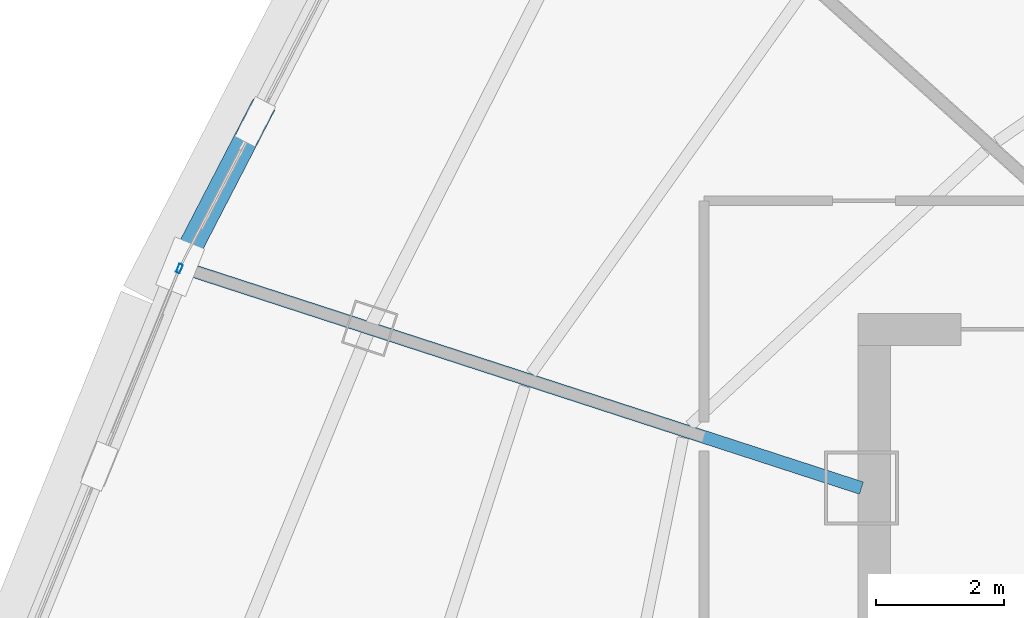
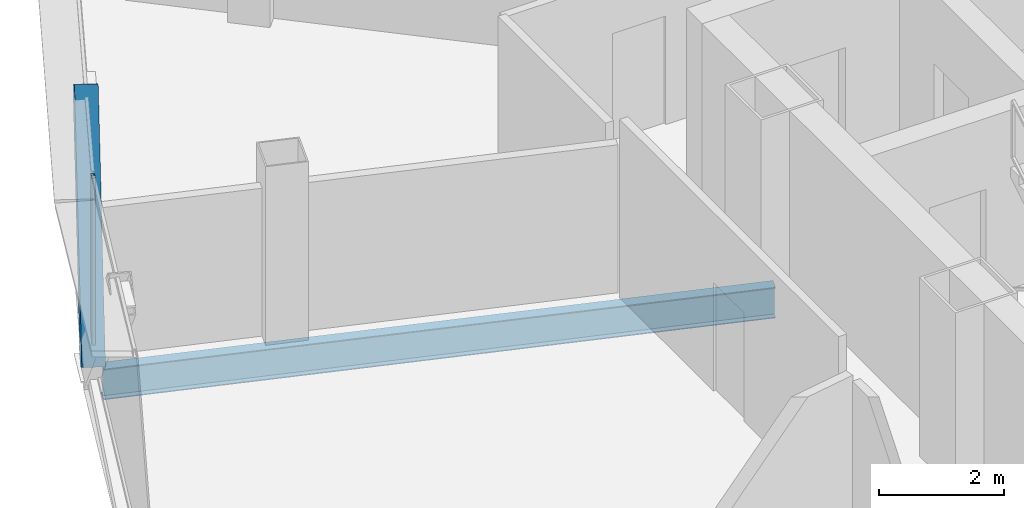
# One storey, part 7 of 28: 2 members, 1 beam, 1 element without a shape of its own.
"""IFC4 building model written with IfcOpenShell, lengths in metres."""

from ifc_helpers import new_model, si_unit, direction, frame, origin, origin_2d, place, context, subcontext, project, spatial, hollow_rectangle, i_section, extrude, source, transform, mapped, material, layer, layer_set, material_profile, profile_set, type_object, element, aggregate, save


model = new_model("IFC4")

# Units and contexts
model_context = context("Model", 3, precision=1e-05, world=origin(), true_north=direction((0.0, 1.0)))
body_context = subcontext(model_context, "Body", "Model", "MODEL_VIEW")
ifc_project = project(units=[si_unit("LENGTHUNIT", "METRE"), si_unit("AREAUNIT", "SQUARE_METRE"), si_unit("VOLUMEUNIT", "CUBIC_METRE"), si_unit("PLANEANGLEUNIT", "RADIAN"), si_unit("MASSUNIT", "GRAM", prefix="KILO"), si_unit("THERMODYNAMICTEMPERATUREUNIT", "KELVIN"), si_unit("POWERUNIT", "WATT")], contexts=[model_context])

# Site, building, storey
site_placement = place(None, origin())
site = spatial("IfcSite", under=ifc_project, at=site_placement, CompositionType="ELEMENT")
building_placement = place(site_placement, origin())
building = spatial("IfcBuilding", under=site, at=building_placement, Name="Yunzhuo Pagoda Commons", CompositionType="ELEMENT")
storey_placement = place(building_placement, frame((0.0, 0.0, 336.760009765625)))
storey = spatial("IfcBuildingStorey", under=building, at=storey_placement, Name="L84", CompositionType="ELEMENT", Elevation=336.760009765625)

# Beam
ifc_material_1 = material(Name="Structural steel Q355B", Category="steel")
ifc_material_profile_1 = material_profile(ifc_material_1, i_section(OverallWidth=0.199951171875, OverallDepth=0.60009765625, WebThickness=0.010986328125, FlangeThickness=0.01708984375, at=origin_2d()), Name="Structural steel Q355B")
ifc_profile_set_1 = profile_set([ifc_material_profile_1], Name="Structural steel Q355B")
beam_type = type_object("IfcBeamType", Name="B-RG3 Beam HN 600x200x11x17", PredefinedType="BEAM", material=ifc_profile_set_1)
shared_shape_1 = source(origin(), body_context, "Body", "SweptSolid", [
    extrude(i_section(OverallWidth=0.199951171875, OverallDepth=0.60009765625, WebThickness=0.010986328125, FlangeThickness=0.01708984375, at=origin_2d()), origin(), (0.0, 0.0, 1.0), 10.99365234375),
])
beam_placement = place(storey_placement, frame((25.14453125, 41.126220703125, -0.56005859375), z_axis=(0.951056587506, -0.30901677521, 0.0), x_axis=(0.30901677521, 0.951056587506, 0.0)))
element("IfcBeam", 1, at=beam_placement, inside=storey, type_object=beam_type, Name="L84 radial floor girder F3C3", PredefinedType="BEAM", context=body_context, shape_type="MappedRepresentation", body=[
    mapped(shared_shape_1, transform((0.0, 0.0, 0.0), scale=1.0)),
])

# Member
ifc_material_profile_2 = material_profile(ifc_material_1, hollow_rectangle(XDim=0.3798828125, YDim=0.719970703125, WallThickness=0.02001953125, at=origin_2d()), Name="Structural steel Q355B")
ifc_profile_set_2 = profile_set([ifc_material_profile_2], Name="Structural steel Q355B")
member_type_1 = type_object("IfcMemberType", Name="M-DL3 Brace BOX 720x380x20", PredefinedType="BRACE", material=ifc_profile_set_2)
shared_shape_2 = source(origin(), body_context, "Body", "SweptSolid", [
    extrude(hollow_rectangle(XDim=0.3798828125, YDim=0.719970703125, WallThickness=0.02001953125, at=origin_2d()), origin(), (0.0, 0.0, 1.0), 4.530517578125),
])
member_1_placement = place(storey_placement, frame((24.9970703125, 41.174072265625, -0.260009765625), z_axis=(0.257636265393, 0.498513509968, 0.827712410886), x_axis=(-0.888374338506, 0.459119847843, 0.0)))
element("IfcMember", 2, at=member_1_placement, inside=storey, type_object=member_type_1, Name="L84 facade diamond brace F3.2R", PredefinedType="BRACE", context=body_context, shape_type="MappedRepresentation", body=[
    mapped(shared_shape_2, transform((0.0, 0.0, 0.0), scale=1.0)),
])

# Curtain wall, member
ifc_material_2 = material(Name="Anodized aluminium 6063-T6", Category="aluminium")
ifc_layer = layer(ifc_material_2, 0.139892578125)
ifc_layer_set = layer_set([ifc_layer], Name="Anodized aluminium 6063-T6")
curtain_wall_type = type_object("IfcCurtainWallType", Name="CW-HI High-Zone Ribbon Curtain Wall", PredefinedType="NOTDEFINED", material=ifc_layer_set)
curtain_wall_placement = place(storey_placement, origin())
curtain_wall = element("IfcCurtainWall", 3, at=curtain_wall_placement, inside=storey, type_object=curtain_wall_type, Name="L84 curtain wall CW-L84-F3B4", PredefinedType="NOTDEFINED")
ifc_material_profile_3 = material_profile(ifc_material_2, hollow_rectangle(XDim=0.06005859375, YDim=0.139892578125, WallThickness=0.00341796875, at=origin_2d()), Name="Anodized aluminium 6063-T6")
ifc_profile_set_3 = profile_set([ifc_material_profile_3], Name="Anodized aluminium 6063-T6")
member_type_2 = type_object("IfcMemberType", Name="CW-HI-M Mullion RHS 140x60x3.5", PredefinedType="MULLION", material=ifc_profile_set_3)
shared_shape_3 = source(origin(), body_context, "Body", "SweptSolid", [
    extrude(hollow_rectangle(XDim=0.06005859375, YDim=0.139892578125, WallThickness=0.00341796875, at=origin_2d()), origin(), (0.0, 0.0, 1.0), 3.489990234375),
])
member_2_placement = place(storey_placement, frame((24.98583984375, 41.146240234375, 0.0), z_axis=(0.0, 0.0, 1.0), x_axis=(0.925729863061, -0.37818543155, 0.0)))
member_2 = element("IfcMember", 4, at=member_2_placement, type_object=member_type_2, Name="CW mullion 1", PredefinedType="MULLION", context=body_context, shape_type="MappedRepresentation", body=[
    mapped(shared_shape_3, transform((0.0, 0.0, 0.0), scale=1.0)),
])
aggregate(curtain_wall, [member_2])

save(model, "model.ifc")
